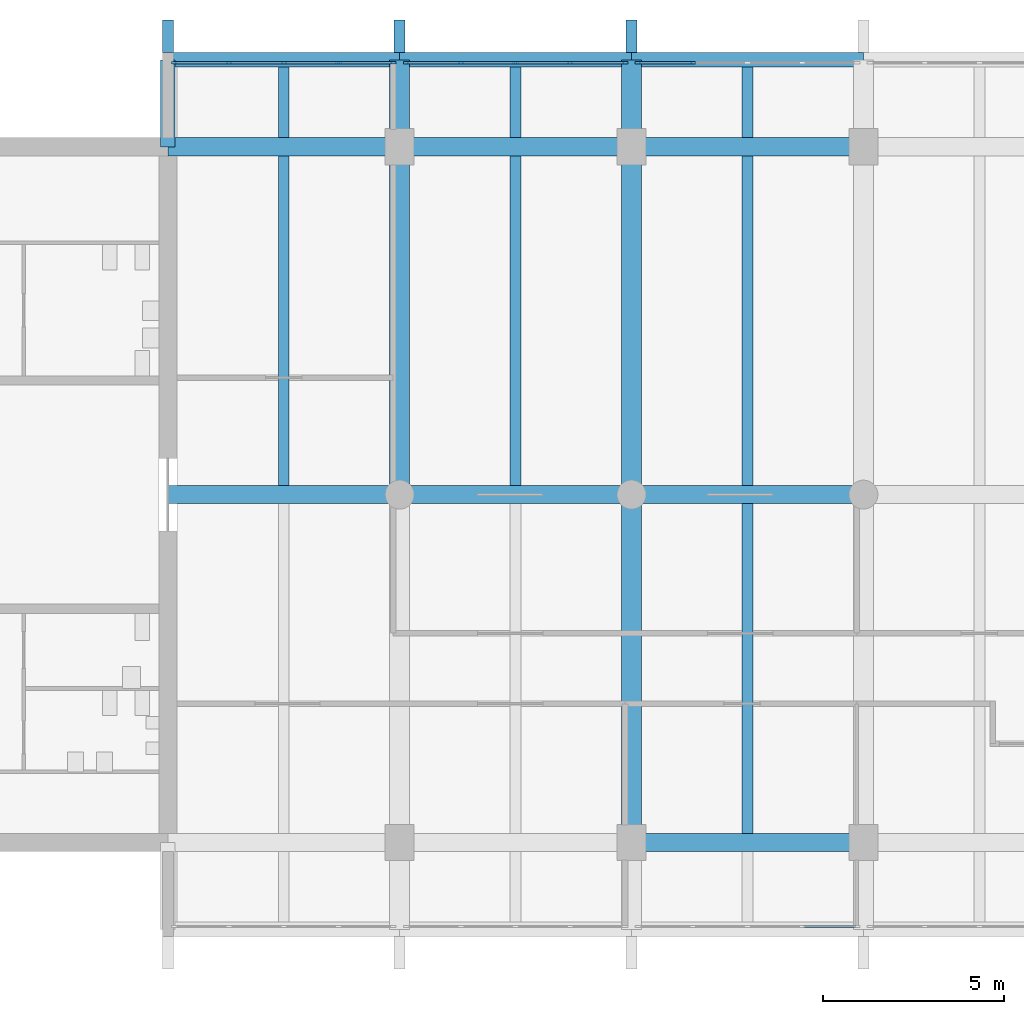
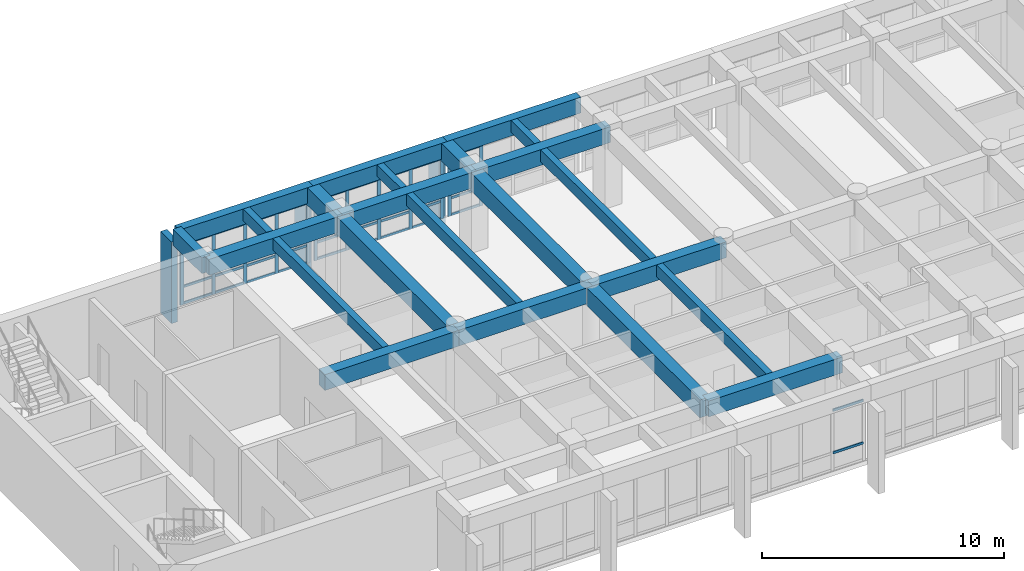
# One storey, part 3 of 15: 44 members, 23 beams, 4 elements without a shape of their own.
"""IFC4 building model written with IfcOpenShell, lengths in metres."""

import ifcopenshell
import ifcopenshell.guid

model = None  # the IFC model being written
_history = None  # IfcOwnerHistory: only IFC2X3 demands one
_inside = {}  # id of a spatial element -> (the spatial element, [elements in it])
_under = {}  # id of a project, library or spatial element -> (it, [spatial elements below it])
_declared = {}  # id of a project -> (the project, [libraries it declares])
_typed = {}  # id of a type object -> (the type object, [elements of that type])
_made_of = {}  # id of a material, layer set ... -> (it, [elements and type objects made of it])


def new_model(schema):
    """Start an empty IFC model of exactly this schema.

    Asked for "IFC4X3", IfcOpenShell would pick the latest addendum, in which some entities
    have other attributes; the version numbers below select the first issue.
    IFC2X3 requires an IfcOwnerHistory on every rooted entity: one is made here for all.
    """
    global model, _history
    if schema == "IFC4X3":
        model = ifcopenshell.file(schema_version=(4, 3, 0, 0))
    else:
        model = ifcopenshell.file(schema=schema)
    _inside.clear()
    _under.clear()
    _declared.clear()
    _typed.clear()
    _made_of.clear()
    _history = None
    if model.schema == "IFC2X3":
        org = make("IfcOrganization", Name="unknown")
        user = make(
            "IfcPersonAndOrganization",
            ThePerson=make("IfcPerson", FamilyName="unknown"),
            TheOrganization=org,
        )
        app = make(
            "IfcApplication",
            ApplicationDeveloper=org,
            Version="unknown",
            ApplicationFullName="unknown",
            ApplicationIdentifier="unknown",
        )
        _history = make(
            "IfcOwnerHistory",
            OwningUser=user,
            OwningApplication=app,
            ChangeAction="ADDED",
            CreationDate=0,
        )
    return model


def make(cls, **values):
    """One entity of the class cls with the attributes given. An attribute that is None is left unset."""
    return model.create_entity(
        cls, **{name: value for name, value in values.items() if value is not None}
    )


def rooted(cls, **values):
    """An entity with a GlobalId (a new one), such as an element, a storey or a relation."""
    return make(cls, GlobalId=ifcopenshell.guid.new(), OwnerHistory=_history, **values)


def si_unit(unit_type, name, prefix=None):
    """IfcSIUnit, for example si_unit("LENGTHUNIT", "METRE", prefix="MILLI")."""
    return make("IfcSIUnit", UnitType=unit_type, Prefix=prefix, Name=name)


def assignment(units):
    """IfcUnitAssignment: the units of a project."""
    return None if units is None else make("IfcUnitAssignment", Units=units)


def point(xyz):
    """IfcCartesianPoint."""
    return None if xyz is None else make("IfcCartesianPoint", Coordinates=xyz)


def direction(xyz):
    """IfcDirection."""
    return None if xyz is None else make("IfcDirection", DirectionRatios=xyz)


def frame(location, z_axis=None, x_axis=None):
    """IfcAxis2Placement3D, a coordinate frame: its origin and axes. An axis left out is left unset."""
    return make(
        "IfcAxis2Placement3D",
        Location=point(location),
        Axis=direction(z_axis),
        RefDirection=direction(x_axis),
    )


def frame_2d(location, x_axis=None):
    """IfcAxis2Placement2D, a coordinate frame in the plane: its origin and x axis."""
    return make(
        "IfcAxis2Placement2D", Location=point(location), RefDirection=direction(x_axis)
    )


def origin():
    """The frame at (0, 0, 0) with its axes left unset."""
    return frame((0.0, 0.0, 0.0))


def origin_2d():
    """The frame at (0, 0) in the plane with its x axis left unset."""
    return frame_2d((0.0, 0.0))


def place(relative_to, where):
    """IfcLocalPlacement: puts the frame where relative to a parent placement (None: the world)."""
    return make(
        "IfcLocalPlacement", PlacementRelTo=relative_to, RelativePlacement=where
    )


def context(
    kind, dimensions, precision=None, world=None, true_north=None, identifier=None
):
    """IfcGeometricRepresentationContext, for example the 3D "Model" context."""
    return make(
        "IfcGeometricRepresentationContext",
        ContextIdentifier=identifier,
        ContextType=kind,
        CoordinateSpaceDimension=dimensions,
        Precision=precision,
        WorldCoordinateSystem=world,
        TrueNorth=true_north,
    )


def subcontext(parent, identifier, kind, view, scale=None):
    """IfcGeometricRepresentationSubContext, for example "Body" below "Model"."""
    return make(
        "IfcGeometricRepresentationSubContext",
        ContextIdentifier=identifier,
        ContextType=kind,
        ParentContext=parent,
        TargetScale=scale,
        TargetView=view,
    )


def project(units=None, contexts=None):
    """IfcProject with its units and contexts."""
    return rooted(
        "IfcProject",
        Name="project",
        RepresentationContexts=contexts,
        UnitsInContext=assignment(units),
    )


def spatial(cls, under=None, at=None, **own):
    """A site, building, storey or space (cls), placed at a placement, below another one or the project."""
    s = rooted(cls, ObjectPlacement=at, **own)
    if under is not None:
        _under.setdefault(under.id(), (under, []))[1].append(s)
    return s


def profile(cls, at=None, kind="AREA", **sizes):
    """A parametric profile (cls). Its sizes go by their IFC names, for example OverallWidth=200.0."""
    return make(cls, ProfileType=kind, Position=at, **sizes)


def rectangle(**sizes):
    """IfcRectangleProfileDef."""
    return profile("IfcRectangleProfileDef", **sizes)


def extrude(swept, where, along, depth):
    """IfcExtrudedAreaSolid: the profile swept, set in the frame where, extruded along a direction by depth."""
    return make(
        "IfcExtrudedAreaSolid",
        SweptArea=swept,
        Position=where,
        ExtrudedDirection=direction(along),
        Depth=depth,
    )


def shape(context_of_items, identifier, shape_type, items):
    """IfcShapeRepresentation: the items that make up one representation, for example the "Body"."""
    return make(
        "IfcShapeRepresentation",
        ContextOfItems=context_of_items,
        RepresentationIdentifier=identifier,
        RepresentationType=shape_type,
        Items=items,
    )


def material(Name=None, Category=None):
    """IfcMaterial."""
    return make("IfcMaterial", Name=Name, Category=Category)


def layer(
    of_material, thickness, ventilated=None, Name=None, Category=None, Priority=None
):
    """IfcMaterialLayer: one layer of a wall or slab, of a material (None: an air gap)."""
    return make(
        "IfcMaterialLayer",
        Material=of_material,
        LayerThickness=thickness,
        IsVentilated=ventilated,
        Name=Name,
        Category=Category,
        Priority=Priority,
    )


def layer_set(layers, Name=None):
    """IfcMaterialLayerSet."""
    return make("IfcMaterialLayerSet", MaterialLayers=layers, LayerSetName=Name)


def material_profile(
    of_material, cross_section, Name=None, Category=None, Priority=None
):
    """IfcMaterialProfile: a cross section and its material."""
    return make(
        "IfcMaterialProfile",
        Name=Name,
        Material=of_material,
        Profile=cross_section,
        Priority=Priority,
        Category=Category,
    )


def profile_set(profiles, Name=None, composite=None):
    """IfcMaterialProfileSet."""
    return make(
        "IfcMaterialProfileSet",
        Name=Name,
        MaterialProfiles=profiles,
        CompositeProfile=composite,
    )


def made_of(thing, what):
    """Note that an element or type object is made of a material, layer set ...; save() writes the relation."""
    if what is not None:
        _made_of.setdefault(what.id(), (what, []))[1].append(thing)
    return thing


def type_object(cls, material=None, **own):
    """A type object (cls), such as IfcWallType, which elements share."""
    return made_of(rooted(cls, **own), material)


def element(
    cls,
    number,
    at=None,
    inside=None,
    cuts=None,
    type_object=None,
    material=None,
    context=None,
    identifier="Body",
    shape_type=None,
    held_by="IfcProductDefinitionShape",
    body=None,
    shapes=None,
    **own,
):
    """One element of the class cls, such as IfcWall. Its Tag is "e" and its number.

    at: its placement. inside: the storey or other place that contains it. cuts: it is an
    opening in that element (IfcRelVoidsElement). A single representation is given by context,
    identifier, shape_type and body (its items); several are given by shapes. held_by: the class
    of the entity that holds the representations. save() writes the other relations.
    """
    e = rooted(cls, Tag="e%d" % number, ObjectPlacement=at, **own)
    if body is not None:
        shapes = [shape(context, identifier, shape_type, body)]
    if shapes is not None:
        e.Representation = make(held_by, Representations=shapes)
    if inside is not None:
        _inside.setdefault(inside.id(), (inside, []))[1].append(e)
    if cuts is not None:
        rooted(
            "IfcRelVoidsElement", RelatingBuildingElement=cuts, RelatedOpeningElement=e
        )
    if type_object is not None:
        _typed.setdefault(type_object.id(), (type_object, []))[1].append(e)
    return made_of(e, material)


def aggregate(whole, parts):
    """IfcRelAggregates: a whole, such as a stair, and the parts it consists of."""
    return rooted("IfcRelAggregates", RelatingObject=whole, RelatedObjects=parts)


def save(model, path):
    """Write the relations noted so far, then the file.

    IfcRelAggregates (storeys below a building ...), IfcRelContainedInSpatialStructure (elements
    in a storey), IfcRelDefinesByType, IfcRelAssociatesMaterial and IfcRelDeclares: one each for
    every whole, place, type object, material and project.
    """
    for whole, parts in _under.values():
        aggregate(whole, parts)
    for where, things in _inside.values():
        rooted(
            "IfcRelContainedInSpatialStructure",
            RelatedElements=things,
            RelatingStructure=where,
        )
    for kind, things in _typed.values():
        rooted("IfcRelDefinesByType", RelatedObjects=things, RelatingType=kind)
    for what, things in _made_of.values():
        rooted("IfcRelAssociatesMaterial", RelatedObjects=things, RelatingMaterial=what)
    for by, libraries in _declared.values():
        rooted("IfcRelDeclares", RelatingContext=by, RelatedDefinitions=libraries)
    model.write(path)


model = new_model("IFC4")

# Units and contexts
model_context = context("Model", 3, precision=1e-05, world=origin(), true_north=direction((0.0, 1.0)))
body_context = subcontext(model_context, "Body", "Model", "MODEL_VIEW")
ifc_project = project(units=[si_unit("LENGTHUNIT", "METRE"), si_unit("AREAUNIT", "SQUARE_METRE"), si_unit("VOLUMEUNIT", "CUBIC_METRE"), si_unit("PLANEANGLEUNIT", "RADIAN"), si_unit("MASSUNIT", "GRAM", prefix="KILO")], contexts=[model_context])

# Site, building, storey
site_placement = place(None, origin())
site = spatial("IfcSite", under=ifc_project, at=site_placement, CompositionType="ELEMENT")
building_placement = place(site_placement, origin())
building = spatial("IfcBuilding", under=site, at=building_placement, Name="Fogon Plaza Fire Station and Headquarters Tower", CompositionType="ELEMENT")
storey_placement = place(building_placement, frame((0.0, 0.0, 60.0)))
storey = spatial("IfcBuildingStorey", under=building, at=storey_placement, Name="L15", CompositionType="ELEMENT", Elevation=60.0)

# Beams
ifc_material_1 = material(Name="Concrete C40", Category="concrete")
ifc_material_profile_1 = material_profile(ifc_material_1, rectangle(XDim=0.39990234375, YDim=0.800048828125, at=origin_2d()), Name="RC 400x800")
ifc_profile_set_1 = profile_set([ifc_material_profile_1], Name="Concrete C40")
beam_type_1 = type_object("IfcBeamType", Name="BEAM RC 400x800", PredefinedType="BEAM", material=ifc_profile_set_1)
for number, where, z_axis, x_axis, name in (
    (1, (25.60009765625, 55.199951171875, 3.5), (1.0, 0.0, 0.0), (0.0, 1.0, 0.0), "beam-L15-045"),
    (2, (32.0, 55.199951171875, 3.5), (1.0, 0.0, 0.0), (0.0, 1.0, 0.0), "beam-L15-046"),
):
    element("IfcBeam", number, at=place(storey_placement, frame(where, z_axis=z_axis, x_axis=x_axis)), inside=storey, type_object=beam_type_1, Name=name, PredefinedType="BEAM", context=body_context, shape_type="SweptSolid", body=[
        extrude(rectangle(XDim=0.39990234375, YDim=0.800048828125, at=origin_2d()), origin(), (0.0, 0.0, 1.0), 6.39990234375),
    ])
beam_1_placement = place(storey_placement, frame((38.39990234375, 55.199951171875, 3.5), z_axis=(1.0, 0.0, 0.0), x_axis=(0.0, 1.0, 0.0)))
element("IfcBeam", 3, at=beam_1_placement, inside=storey, type_object=beam_type_1, Name="beam-L15-047", PredefinedType="BEAM", context=body_context, shape_type="SweptSolid", body=[
    extrude(rectangle(XDim=0.39990234375, YDim=0.800048828125, at=origin_2d()), origin(), (0.0, 0.0, 1.0), 6.400146484375),
])
ifc_material_2 = material(Name="Concrete C40", Category="concrete")
ifc_material_profile_2 = material_profile(ifc_material_2, rectangle(XDim=0.39990234375, YDim=0.800048828125, at=origin_2d()), Name="RC 400x800")
ifc_profile_set_2 = profile_set([ifc_material_profile_2], Name="Concrete C40")
beam_type_2 = type_object("IfcBeamType", Name="BEAM RC 400x800 SPAN 0.0 TO 3.0 M", PredefinedType="BEAM", material=ifc_profile_set_2)
beam_2_placement = place(storey_placement, frame((25.60009765625, 52.800048828125, 3.5), z_axis=(0.0, 1.0, 0.0), x_axis=(-1.0, 0.0, 0.0)))
element("IfcBeam", 4, at=beam_2_placement, inside=storey, type_object=beam_type_2, Name="beam-L15-052", PredefinedType="BEAM", context=body_context, shape_type="SweptSolid", body=[
    extrude(rectangle(XDim=0.39990234375, YDim=0.800048828125, at=origin_2d()), origin(), (0.0, 0.0, 1.0), 2.39990234375),
])
ifc_material_3 = material(Name="Concrete C40", Category="concrete")
ifc_material_profile_3 = material_profile(ifc_material_3, rectangle(XDim=0.5, YDim=0.800048828125, at=origin_2d()), Name="RC 500x800")
ifc_profile_set_3 = profile_set([ifc_material_profile_3], Name="Concrete C40")
beam_type_3 = type_object("IfcBeamType", Name="BEAM RC 500x800 SPAN 4.8 TO 7.7 M", PredefinedType="BEAM", material=ifc_profile_set_3)
beam_3_placement = place(storey_placement, frame((38.39990234375, 33.60009765625, 3.5), z_axis=(1.0, 0.0, 0.0), x_axis=(0.0, 1.0, 0.0)))
element("IfcBeam", 5, at=beam_3_placement, inside=storey, type_object=beam_type_3, Name="beam-L15-023", PredefinedType="BEAM", context=body_context, shape_type="SweptSolid", body=[
    extrude(rectangle(XDim=0.5, YDim=0.800048828125, at=origin_2d()), origin(), (0.0, 0.0, 1.0), 6.400146484375),
])
for number, where, z_axis, x_axis, name in (
    (6, (25.60009765625, 43.199951171875, 3.5), (1.0, 0.0, 0.0), (0.0, 1.0, 0.0), "beam-L15-027"),
    (7, (32.0, 43.199951171875, 3.5), (1.0, 0.0, 0.0), (0.0, 1.0, 0.0), "beam-L15-028"),
):
    element("IfcBeam", number, at=place(storey_placement, frame(where, z_axis=z_axis, x_axis=x_axis)), inside=storey, type_object=beam_type_3, Name=name, PredefinedType="BEAM", context=body_context, shape_type="SweptSolid", body=[
        extrude(rectangle(XDim=0.5, YDim=0.800048828125, at=origin_2d()), origin(), (0.0, 0.0, 1.0), 6.39990234375),
    ])
beam_4_placement = place(storey_placement, frame((38.39990234375, 43.199951171875, 3.5), z_axis=(1.0, 0.0, 0.0), x_axis=(0.0, 1.0, 0.0)))
element("IfcBeam", 8, at=beam_4_placement, inside=storey, type_object=beam_type_3, Name="beam-L15-029", PredefinedType="BEAM", context=body_context, shape_type="SweptSolid", body=[
    extrude(rectangle(XDim=0.5, YDim=0.800048828125, at=origin_2d()), origin(), (0.0, 0.0, 1.0), 6.400146484375),
])
for number, where, z_axis, x_axis, name in (
    (9, (25.60009765625, 52.800048828125, 3.5), (1.0, 0.0, 0.0), (0.0, 1.0, 0.0), "beam-L15-033"),
    (10, (32.0, 52.800048828125, 3.5), (1.0, 0.0, 0.0), (0.0, 1.0, 0.0), "beam-L15-034"),
):
    element("IfcBeam", number, at=place(storey_placement, frame(where, z_axis=z_axis, x_axis=x_axis)), inside=storey, type_object=beam_type_3, Name=name, PredefinedType="BEAM", context=body_context, shape_type="SweptSolid", body=[
        extrude(rectangle(XDim=0.5, YDim=0.800048828125, at=origin_2d()), origin(), (0.0, 0.0, 1.0), 6.39990234375),
    ])
beam_5_placement = place(storey_placement, frame((38.39990234375, 52.800048828125, 3.5), z_axis=(1.0, 0.0, 0.0), x_axis=(0.0, 1.0, 0.0)))
element("IfcBeam", 11, at=beam_5_placement, inside=storey, type_object=beam_type_3, Name="beam-L15-035", PredefinedType="BEAM", context=body_context, shape_type="SweptSolid", body=[
    extrude(rectangle(XDim=0.5, YDim=0.800048828125, at=origin_2d()), origin(), (0.0, 0.0, 1.0), 6.400146484375),
])
ifc_material_4 = material(Name="Concrete C40", Category="concrete")
ifc_material_profile_4 = material_profile(ifc_material_4, rectangle(XDim=0.550048828125, YDim=0.89990234375, at=origin_2d()), Name="RC 550x900")
ifc_profile_set_4 = profile_set([ifc_material_profile_4], Name="Concrete C40")
beam_type_4 = type_object("IfcBeamType", Name="BEAM RC 550x900", PredefinedType="BEAM", material=ifc_profile_set_4)
beam_6_placement = place(storey_placement, frame((32.0, 43.199951171875, 3.449951171875), z_axis=(0.0, 1.0, 0.0), x_axis=(-1.0, 0.0, 0.0)))
element("IfcBeam", 12, at=beam_6_placement, inside=storey, type_object=beam_type_4, Name="beam-L15-003", PredefinedType="BEAM", context=body_context, shape_type="SweptSolid", body=[
    extrude(rectangle(XDim=0.550048828125, YDim=0.89990234375, at=origin_2d()), origin(), (0.0, 0.0, 1.0), 9.60009765625),
])
beam_7_placement = place(storey_placement, frame((38.39990234375, 33.60009765625, 3.449951171875), z_axis=(0.0, 1.0, 0.0), x_axis=(-1.0, 0.0, 0.0)))
element("IfcBeam", 13, at=beam_7_placement, inside=storey, type_object=beam_type_4, Name="beam-L15-006", PredefinedType="BEAM", context=body_context, shape_type="SweptSolid", body=[
    extrude(rectangle(XDim=0.550048828125, YDim=0.89990234375, at=origin_2d()), origin(), (0.0, 0.0, 1.0), 9.599853515625),
])
beam_8_placement = place(storey_placement, frame((38.39990234375, 43.199951171875, 3.449951171875), z_axis=(0.0, 1.0, 0.0), x_axis=(-1.0, 0.0, 0.0)))
element("IfcBeam", 14, at=beam_8_placement, inside=storey, type_object=beam_type_4, Name="beam-L15-007", PredefinedType="BEAM", context=body_context, shape_type="SweptSolid", body=[
    extrude(rectangle(XDim=0.550048828125, YDim=0.89990234375, at=origin_2d()), origin(), (0.0, 0.0, 1.0), 9.60009765625),
])
ifc_material_5 = material(Name="Concrete C40", Category="concrete")
ifc_material_profile_5 = material_profile(ifc_material_5, rectangle(XDim=0.550048828125, YDim=0.89990234375, at=origin_2d()), Name="RC 550x900")
ifc_profile_set_5 = profile_set([ifc_material_profile_5], Name="Concrete C40")
beam_type_5 = type_object("IfcBeamType", Name="BEAM RC 550x900 SPAN 0.0 TO 3.0 M", PredefinedType="BEAM", material=ifc_profile_set_5)
for number, where, z_axis, x_axis, name in (
    (15, (32.0, 52.800048828125, 3.449951171875), (0.0, 1.0, 0.0), (-1.0, 0.0, 0.0), "beam-L15-004"),
    (16, (38.39990234375, 52.800048828125, 3.449951171875), (0.0, 1.0, 0.0), (-1.0, 0.0, 0.0), "beam-L15-008"),
):
    element("IfcBeam", number, at=place(storey_placement, frame(where, z_axis=z_axis, x_axis=x_axis)), inside=storey, type_object=beam_type_5, Name=name, PredefinedType="BEAM", context=body_context, shape_type="SweptSolid", body=[
        extrude(rectangle(XDim=0.550048828125, YDim=0.89990234375, at=origin_2d()), origin(), (0.0, 0.0, 1.0), 2.39990234375),
    ])

# Curtain wall, members
ifc_material_6 = material(Name="Aluminium and glass", Category="aluminium")
ifc_layer = layer(ifc_material_6, 0.14990234375)
ifc_layer_set = layer_set([ifc_layer], Name="Aluminium and glass")
curtain_wall_type = type_object("IfcCurtainWallType", Name="Unitised Curtain Wall Run 6100x3100", PredefinedType="NOTDEFINED", material=ifc_layer_set)
curtain_wall_1_placement = place(storey_placement, origin())
curtain_wall_1 = element("IfcCurtainWall", 17, at=curtain_wall_1_placement, inside=storey, type_object=curtain_wall_type, Name="CW-6100x3100 N1 L15", PredefinedType="NOTDEFINED")
ifc_material_7 = material(Name="Aluminium", Category="aluminium")
ifc_material_profile_6 = material_profile(ifc_material_7, rectangle(XDim=0.06005859375, YDim=0.159912109375, at=origin_2d()), Name="Curtain Wall Mullion 60x160")
ifc_profile_set_6 = profile_set([ifc_material_profile_6], Name="Aluminium")
member_type_1 = type_object("IfcMemberType", Name="Curtain Wall Mullion 60x160", PredefinedType="MULLION", material=ifc_profile_set_6)
member_1_placement = place(storey_placement, frame((25.780029296875, 55.1201171875, 0.0), z_axis=(0.0, 0.0, 1.0), x_axis=(0.0, 1.0, 0.0)))
member_1 = element("IfcMember", 18, at=member_1_placement, type_object=member_type_1, Name="CW-6100x3100 mullion 1", PredefinedType="MULLION", context=body_context, shape_type="SweptSolid", body=[
    extrude(rectangle(XDim=0.06005859375, YDim=0.159912109375, at=origin_2d()), origin(), (0.0, 0.0, 1.0), 3.10009765625),
])
member_2_placement = place(storey_placement, frame((27.2900390625, 55.1201171875, 0.0), z_axis=(0.0, 0.0, 1.0), x_axis=(0.0, 1.0, 0.0)))
member_2 = element("IfcMember", 19, at=member_2_placement, type_object=member_type_1, Name="CW-6100x3100 mullion 2", PredefinedType="MULLION", context=body_context, shape_type="SweptSolid", body=[
    extrude(rectangle(XDim=0.06005859375, YDim=0.159912109375, at=origin_2d()), origin(), (0.0, 0.0, 1.0), 3.10009765625),
])
member_3_placement = place(storey_placement, frame((28.800048828125, 55.1201171875, 0.0), z_axis=(0.0, 0.0, 1.0), x_axis=(0.0, 1.0, 0.0)))
member_3 = element("IfcMember", 20, at=member_3_placement, type_object=member_type_1, Name="CW-6100x3100 mullion 3", PredefinedType="MULLION", context=body_context, shape_type="SweptSolid", body=[
    extrude(rectangle(XDim=0.06005859375, YDim=0.159912109375, at=origin_2d()), origin(), (0.0, 0.0, 1.0), 3.10009765625),
])
member_4_placement = place(storey_placement, frame((30.31005859375, 55.1201171875, 0.0), z_axis=(0.0, 0.0, 1.0), x_axis=(0.0, 1.0, 0.0)))
member_4 = element("IfcMember", 21, at=member_4_placement, type_object=member_type_1, Name="CW-6100x3100 mullion 4", PredefinedType="MULLION", context=body_context, shape_type="SweptSolid", body=[
    extrude(rectangle(XDim=0.06005859375, YDim=0.159912109375, at=origin_2d()), origin(), (0.0, 0.0, 1.0), 3.10009765625),
])
member_5_placement = place(storey_placement, frame((31.820068359375, 55.1201171875, 0.0), z_axis=(0.0, 0.0, 1.0), x_axis=(0.0, 1.0, 0.0)))
member_5 = element("IfcMember", 22, at=member_5_placement, type_object=member_type_1, Name="CW-6100x3100 mullion 5", PredefinedType="MULLION", context=body_context, shape_type="SweptSolid", body=[
    extrude(rectangle(XDim=0.06005859375, YDim=0.159912109375, at=origin_2d()), origin(), (0.0, 0.0, 1.0), 3.10009765625),
])

curtain_wall_2_placement = place(storey_placement, origin())
curtain_wall_2 = element("IfcCurtainWall", 23, at=curtain_wall_2_placement, inside=storey, type_object=curtain_wall_type, Name="CW-6100x3100 N2 L15", PredefinedType="NOTDEFINED")
member_6_placement = place(storey_placement, frame((32.179931640625, 55.1201171875, 0.0), z_axis=(0.0, 0.0, 1.0), x_axis=(0.0, 1.0, 0.0)))
member_6 = element("IfcMember", 24, at=member_6_placement, type_object=member_type_1, Name="CW-6100x3100 mullion 1", PredefinedType="MULLION", context=body_context, shape_type="SweptSolid", body=[
    extrude(rectangle(XDim=0.06005859375, YDim=0.159912109375, at=origin_2d()), origin(), (0.0, 0.0, 1.0), 3.10009765625),
])
member_7_placement = place(storey_placement, frame((33.68994140625, 55.1201171875, 0.0), z_axis=(0.0, 0.0, 1.0), x_axis=(0.0, 1.0, 0.0)))
member_7 = element("IfcMember", 25, at=member_7_placement, type_object=member_type_1, Name="CW-6100x3100 mullion 2", PredefinedType="MULLION", context=body_context, shape_type="SweptSolid", body=[
    extrude(rectangle(XDim=0.06005859375, YDim=0.159912109375, at=origin_2d()), origin(), (0.0, 0.0, 1.0), 3.10009765625),
])
member_8_placement = place(storey_placement, frame((35.199951171875, 55.1201171875, 0.0), z_axis=(0.0, 0.0, 1.0), x_axis=(0.0, 1.0, 0.0)))
member_8 = element("IfcMember", 26, at=member_8_placement, type_object=member_type_1, Name="CW-6100x3100 mullion 3", PredefinedType="MULLION", context=body_context, shape_type="SweptSolid", body=[
    extrude(rectangle(XDim=0.06005859375, YDim=0.159912109375, at=origin_2d()), origin(), (0.0, 0.0, 1.0), 3.10009765625),
])
member_9_placement = place(storey_placement, frame((36.7099609375, 55.1201171875, 0.0), z_axis=(0.0, 0.0, 1.0), x_axis=(0.0, 1.0, 0.0)))
member_9 = element("IfcMember", 27, at=member_9_placement, type_object=member_type_1, Name="CW-6100x3100 mullion 4", PredefinedType="MULLION", context=body_context, shape_type="SweptSolid", body=[
    extrude(rectangle(XDim=0.06005859375, YDim=0.159912109375, at=origin_2d()), origin(), (0.0, 0.0, 1.0), 3.10009765625),
])
member_10_placement = place(storey_placement, frame((38.219970703125, 55.1201171875, 0.0), z_axis=(0.0, 0.0, 1.0), x_axis=(0.0, 1.0, 0.0)))
member_10 = element("IfcMember", 28, at=member_10_placement, type_object=member_type_1, Name="CW-6100x3100 mullion 5", PredefinedType="MULLION", context=body_context, shape_type="SweptSolid", body=[
    extrude(rectangle(XDim=0.06005859375, YDim=0.159912109375, at=origin_2d()), origin(), (0.0, 0.0, 1.0), 3.10009765625),
])

curtain_wall_3_placement = place(storey_placement, origin())
curtain_wall_3 = element("IfcCurtainWall", 29, at=curtain_wall_3_placement, inside=storey, type_object=curtain_wall_type, Name="CW-6100x3100 N3 L15", PredefinedType="NOTDEFINED")
member_11_placement = place(storey_placement, frame((38.580078125, 55.1201171875, 0.0), z_axis=(0.0, 0.0, 1.0), x_axis=(0.0, 1.0, 0.0)))
member_11 = element("IfcMember", 30, at=member_11_placement, type_object=member_type_1, Name="CW-6100x3100 mullion 1", PredefinedType="MULLION", context=body_context, shape_type="SweptSolid", body=[
    extrude(rectangle(XDim=0.06005859375, YDim=0.159912109375, at=origin_2d()), origin(), (0.0, 0.0, 1.0), 3.10009765625),
])
member_12_placement = place(storey_placement, frame((40.090087890625, 55.1201171875, 0.0), z_axis=(0.0, 0.0, 1.0), x_axis=(0.0, 1.0, 0.0)))
member_12 = element("IfcMember", 31, at=member_12_placement, type_object=member_type_1, Name="CW-6100x3100 mullion 2", PredefinedType="MULLION", context=body_context, shape_type="SweptSolid", body=[
    extrude(rectangle(XDim=0.06005859375, YDim=0.159912109375, at=origin_2d()), origin(), (0.0, 0.0, 1.0), 3.10009765625),
])

curtain_wall_4_placement = place(storey_placement, origin())
curtain_wall_4 = element("IfcCurtainWall", 32, at=curtain_wall_4_placement, inside=storey, type_object=curtain_wall_type, Name="CW-6100x3100 S3 L15", PredefinedType="NOTDEFINED")
ifc_material_8 = material(Name="Aluminium", Category="aluminium")
ifc_material_profile_7 = material_profile(ifc_material_8, rectangle(XDim=0.06005859375, YDim=0.1201171875, at=origin_2d()), Name="Curtain Wall Transom 60x120")
ifc_profile_set_7 = profile_set([ifc_material_profile_7], Name="Aluminium")
member_type_2 = type_object("IfcMemberType", Name="Curtain Wall Transom 60x120", PredefinedType="USERDEFINED", material=ifc_profile_set_7)
member_13_placement = place(storey_placement, frame((43.139892578125, 31.280029296875, 0.89990234375), z_axis=(1.0, 0.0, 0.0), x_axis=(0.0, 1.0, 0.0)))
member_13 = element("IfcMember", 33, at=member_13_placement, type_object=member_type_2, Name="CW-6100x3100 transom 4.2", ObjectType="TRANSOM", PredefinedType="USERDEFINED", context=body_context, shape_type="SweptSolid", body=[
    extrude(rectangle(XDim=0.06005859375, YDim=0.1201171875, at=origin_2d()), origin(), (0.0, 0.0, 1.0), 1.4501953125),
])
member_14_placement = place(storey_placement, frame((43.139892578125, 31.280029296875, 3.0400390625), z_axis=(1.0, 0.0, 0.0), x_axis=(0.0, 1.0, 0.0)))
member_14 = element("IfcMember", 34, at=member_14_placement, type_object=member_type_2, Name="CW-6100x3100 transom 4.3", ObjectType="TRANSOM", PredefinedType="USERDEFINED", context=body_context, shape_type="SweptSolid", body=[
    extrude(rectangle(XDim=0.06005859375, YDim=0.1201171875, at=origin_2d()), origin(), (0.0, 0.0, 1.0), 1.4501953125),
])
aggregate(curtain_wall_4, [member_13, member_14])

# Member
member_15_placement = place(storey_placement, frame((25.81005859375, 55.1201171875, 0.06005859375), z_axis=(1.0, 0.0, 0.0), x_axis=(0.0, 1.0, 0.0)))
member_15 = element("IfcMember", 35, at=member_15_placement, type_object=member_type_2, Name="CW-6100x3100 transom 1.1", ObjectType="TRANSOM", PredefinedType="USERDEFINED", context=body_context, shape_type="SweptSolid", body=[
    extrude(rectangle(XDim=0.06005859375, YDim=0.1201171875, at=origin_2d()), origin(), (0.0, 0.0, 1.0), 1.449951171875),
])

member_16_placement = place(storey_placement, frame((25.81005859375, 55.1201171875, 0.89990234375), z_axis=(1.0, 0.0, 0.0), x_axis=(0.0, 1.0, 0.0)))
member_16 = element("IfcMember", 36, at=member_16_placement, type_object=member_type_2, Name="CW-6100x3100 transom 1.2", ObjectType="TRANSOM", PredefinedType="USERDEFINED", context=body_context, shape_type="SweptSolid", body=[
    extrude(rectangle(XDim=0.06005859375, YDim=0.1201171875, at=origin_2d()), origin(), (0.0, 0.0, 1.0), 1.449951171875),
])

member_17_placement = place(storey_placement, frame((25.81005859375, 55.1201171875, 3.0400390625), z_axis=(1.0, 0.0, 0.0), x_axis=(0.0, 1.0, 0.0)))
member_17 = element("IfcMember", 37, at=member_17_placement, type_object=member_type_2, Name="CW-6100x3100 transom 1.3", ObjectType="TRANSOM", PredefinedType="USERDEFINED", context=body_context, shape_type="SweptSolid", body=[
    extrude(rectangle(XDim=0.06005859375, YDim=0.1201171875, at=origin_2d()), origin(), (0.0, 0.0, 1.0), 1.449951171875),
])

member_18_placement = place(storey_placement, frame((27.320068359375, 55.1201171875, 0.06005859375), z_axis=(1.0, 0.0, 0.0), x_axis=(0.0, 1.0, 0.0)))
member_18 = element("IfcMember", 38, at=member_18_placement, type_object=member_type_2, Name="CW-6100x3100 transom 2.1", ObjectType="TRANSOM", PredefinedType="USERDEFINED", context=body_context, shape_type="SweptSolid", body=[
    extrude(rectangle(XDim=0.06005859375, YDim=0.1201171875, at=origin_2d()), origin(), (0.0, 0.0, 1.0), 1.449951171875),
])

member_19_placement = place(storey_placement, frame((27.320068359375, 55.1201171875, 0.89990234375), z_axis=(1.0, 0.0, 0.0), x_axis=(0.0, 1.0, 0.0)))
member_19 = element("IfcMember", 39, at=member_19_placement, type_object=member_type_2, Name="CW-6100x3100 transom 2.2", ObjectType="TRANSOM", PredefinedType="USERDEFINED", context=body_context, shape_type="SweptSolid", body=[
    extrude(rectangle(XDim=0.06005859375, YDim=0.1201171875, at=origin_2d()), origin(), (0.0, 0.0, 1.0), 1.449951171875),
])

member_20_placement = place(storey_placement, frame((27.320068359375, 55.1201171875, 3.0400390625), z_axis=(1.0, 0.0, 0.0), x_axis=(0.0, 1.0, 0.0)))
member_20 = element("IfcMember", 40, at=member_20_placement, type_object=member_type_2, Name="CW-6100x3100 transom 2.3", ObjectType="TRANSOM", PredefinedType="USERDEFINED", context=body_context, shape_type="SweptSolid", body=[
    extrude(rectangle(XDim=0.06005859375, YDim=0.1201171875, at=origin_2d()), origin(), (0.0, 0.0, 1.0), 1.449951171875),
])

member_21_placement = place(storey_placement, frame((28.830078125, 55.1201171875, 0.06005859375), z_axis=(1.0, 0.0, 0.0), x_axis=(0.0, 1.0, 0.0)))
member_21 = element("IfcMember", 41, at=member_21_placement, type_object=member_type_2, Name="CW-6100x3100 transom 3.1", ObjectType="TRANSOM", PredefinedType="USERDEFINED", context=body_context, shape_type="SweptSolid", body=[
    extrude(rectangle(XDim=0.06005859375, YDim=0.1201171875, at=origin_2d()), origin(), (0.0, 0.0, 1.0), 1.449951171875),
])

member_22_placement = place(storey_placement, frame((28.830078125, 55.1201171875, 0.89990234375), z_axis=(1.0, 0.0, 0.0), x_axis=(0.0, 1.0, 0.0)))
member_22 = element("IfcMember", 42, at=member_22_placement, type_object=member_type_2, Name="CW-6100x3100 transom 3.2", ObjectType="TRANSOM", PredefinedType="USERDEFINED", context=body_context, shape_type="SweptSolid", body=[
    extrude(rectangle(XDim=0.06005859375, YDim=0.1201171875, at=origin_2d()), origin(), (0.0, 0.0, 1.0), 1.449951171875),
])

member_23_placement = place(storey_placement, frame((28.830078125, 55.1201171875, 3.0400390625), z_axis=(1.0, 0.0, 0.0), x_axis=(0.0, 1.0, 0.0)))
member_23 = element("IfcMember", 43, at=member_23_placement, type_object=member_type_2, Name="CW-6100x3100 transom 3.3", ObjectType="TRANSOM", PredefinedType="USERDEFINED", context=body_context, shape_type="SweptSolid", body=[
    extrude(rectangle(XDim=0.06005859375, YDim=0.1201171875, at=origin_2d()), origin(), (0.0, 0.0, 1.0), 1.449951171875),
])

member_24_placement = place(storey_placement, frame((30.340087890625, 55.1201171875, 0.06005859375), z_axis=(1.0, 0.0, 0.0), x_axis=(0.0, 1.0, 0.0)))
member_24 = element("IfcMember", 44, at=member_24_placement, type_object=member_type_2, Name="CW-6100x3100 transom 4.1", ObjectType="TRANSOM", PredefinedType="USERDEFINED", context=body_context, shape_type="SweptSolid", body=[
    extrude(rectangle(XDim=0.06005859375, YDim=0.1201171875, at=origin_2d()), origin(), (0.0, 0.0, 1.0), 1.449951171875),
])

member_25_placement = place(storey_placement, frame((30.340087890625, 55.1201171875, 0.89990234375), z_axis=(1.0, 0.0, 0.0), x_axis=(0.0, 1.0, 0.0)))
member_25 = element("IfcMember", 45, at=member_25_placement, type_object=member_type_2, Name="CW-6100x3100 transom 4.2", ObjectType="TRANSOM", PredefinedType="USERDEFINED", context=body_context, shape_type="SweptSolid", body=[
    extrude(rectangle(XDim=0.06005859375, YDim=0.1201171875, at=origin_2d()), origin(), (0.0, 0.0, 1.0), 1.449951171875),
])

member_26_placement = place(storey_placement, frame((30.340087890625, 55.1201171875, 3.0400390625), z_axis=(1.0, 0.0, 0.0), x_axis=(0.0, 1.0, 0.0)))
member_26 = element("IfcMember", 46, at=member_26_placement, type_object=member_type_2, Name="CW-6100x3100 transom 4.3", ObjectType="TRANSOM", PredefinedType="USERDEFINED", context=body_context, shape_type="SweptSolid", body=[
    extrude(rectangle(XDim=0.06005859375, YDim=0.1201171875, at=origin_2d()), origin(), (0.0, 0.0, 1.0), 1.449951171875),
])

aggregate(curtain_wall_1, [member_1, member_2, member_3, member_4, member_5, member_15, member_16, member_17, member_18, member_19, member_20, member_21, member_22, member_23, member_24, member_25, member_26])

member_27_placement = place(storey_placement, frame((32.2099609375, 55.1201171875, 0.06005859375), z_axis=(1.0, 0.0, 0.0), x_axis=(0.0, 1.0, 0.0)))
member_27 = element("IfcMember", 47, at=member_27_placement, type_object=member_type_2, Name="CW-6100x3100 transom 1.1", ObjectType="TRANSOM", PredefinedType="USERDEFINED", context=body_context, shape_type="SweptSolid", body=[
    extrude(rectangle(XDim=0.06005859375, YDim=0.1201171875, at=origin_2d()), origin(), (0.0, 0.0, 1.0), 1.449951171875),
])

member_28_placement = place(storey_placement, frame((32.2099609375, 55.1201171875, 0.89990234375), z_axis=(1.0, 0.0, 0.0), x_axis=(0.0, 1.0, 0.0)))
member_28 = element("IfcMember", 48, at=member_28_placement, type_object=member_type_2, Name="CW-6100x3100 transom 1.2", ObjectType="TRANSOM", PredefinedType="USERDEFINED", context=body_context, shape_type="SweptSolid", body=[
    extrude(rectangle(XDim=0.06005859375, YDim=0.1201171875, at=origin_2d()), origin(), (0.0, 0.0, 1.0), 1.449951171875),
])

member_29_placement = place(storey_placement, frame((32.2099609375, 55.1201171875, 3.0400390625), z_axis=(1.0, 0.0, 0.0), x_axis=(0.0, 1.0, 0.0)))
member_29 = element("IfcMember", 49, at=member_29_placement, type_object=member_type_2, Name="CW-6100x3100 transom 1.3", ObjectType="TRANSOM", PredefinedType="USERDEFINED", context=body_context, shape_type="SweptSolid", body=[
    extrude(rectangle(XDim=0.06005859375, YDim=0.1201171875, at=origin_2d()), origin(), (0.0, 0.0, 1.0), 1.449951171875),
])

member_30_placement = place(storey_placement, frame((33.719970703125, 55.1201171875, 0.06005859375), z_axis=(1.0, 0.0, 0.0), x_axis=(0.0, 1.0, 0.0)))
member_30 = element("IfcMember", 50, at=member_30_placement, type_object=member_type_2, Name="CW-6100x3100 transom 2.1", ObjectType="TRANSOM", PredefinedType="USERDEFINED", context=body_context, shape_type="SweptSolid", body=[
    extrude(rectangle(XDim=0.06005859375, YDim=0.1201171875, at=origin_2d()), origin(), (0.0, 0.0, 1.0), 1.449951171875),
])

member_31_placement = place(storey_placement, frame((33.719970703125, 55.1201171875, 0.89990234375), z_axis=(1.0, 0.0, 0.0), x_axis=(0.0, 1.0, 0.0)))
member_31 = element("IfcMember", 51, at=member_31_placement, type_object=member_type_2, Name="CW-6100x3100 transom 2.2", ObjectType="TRANSOM", PredefinedType="USERDEFINED", context=body_context, shape_type="SweptSolid", body=[
    extrude(rectangle(XDim=0.06005859375, YDim=0.1201171875, at=origin_2d()), origin(), (0.0, 0.0, 1.0), 1.449951171875),
])

member_32_placement = place(storey_placement, frame((33.719970703125, 55.1201171875, 3.0400390625), z_axis=(1.0, 0.0, 0.0), x_axis=(0.0, 1.0, 0.0)))
member_32 = element("IfcMember", 52, at=member_32_placement, type_object=member_type_2, Name="CW-6100x3100 transom 2.3", ObjectType="TRANSOM", PredefinedType="USERDEFINED", context=body_context, shape_type="SweptSolid", body=[
    extrude(rectangle(XDim=0.06005859375, YDim=0.1201171875, at=origin_2d()), origin(), (0.0, 0.0, 1.0), 1.449951171875),
])

member_33_placement = place(storey_placement, frame((35.22998046875, 55.1201171875, 0.06005859375), z_axis=(1.0, 0.0, 0.0), x_axis=(0.0, 1.0, 0.0)))
member_33 = element("IfcMember", 53, at=member_33_placement, type_object=member_type_2, Name="CW-6100x3100 transom 3.1", ObjectType="TRANSOM", PredefinedType="USERDEFINED", context=body_context, shape_type="SweptSolid", body=[
    extrude(rectangle(XDim=0.06005859375, YDim=0.1201171875, at=origin_2d()), origin(), (0.0, 0.0, 1.0), 1.449951171875),
])

member_34_placement = place(storey_placement, frame((35.22998046875, 55.1201171875, 0.89990234375), z_axis=(1.0, 0.0, 0.0), x_axis=(0.0, 1.0, 0.0)))
member_34 = element("IfcMember", 54, at=member_34_placement, type_object=member_type_2, Name="CW-6100x3100 transom 3.2", ObjectType="TRANSOM", PredefinedType="USERDEFINED", context=body_context, shape_type="SweptSolid", body=[
    extrude(rectangle(XDim=0.06005859375, YDim=0.1201171875, at=origin_2d()), origin(), (0.0, 0.0, 1.0), 1.449951171875),
])

member_35_placement = place(storey_placement, frame((35.22998046875, 55.1201171875, 3.0400390625), z_axis=(1.0, 0.0, 0.0), x_axis=(0.0, 1.0, 0.0)))
member_35 = element("IfcMember", 55, at=member_35_placement, type_object=member_type_2, Name="CW-6100x3100 transom 3.3", ObjectType="TRANSOM", PredefinedType="USERDEFINED", context=body_context, shape_type="SweptSolid", body=[
    extrude(rectangle(XDim=0.06005859375, YDim=0.1201171875, at=origin_2d()), origin(), (0.0, 0.0, 1.0), 1.449951171875),
])

member_36_placement = place(storey_placement, frame((36.739990234375, 55.1201171875, 0.06005859375), z_axis=(1.0, 0.0, 0.0), x_axis=(0.0, 1.0, 0.0)))
member_36 = element("IfcMember", 56, at=member_36_placement, type_object=member_type_2, Name="CW-6100x3100 transom 4.1", ObjectType="TRANSOM", PredefinedType="USERDEFINED", context=body_context, shape_type="SweptSolid", body=[
    extrude(rectangle(XDim=0.06005859375, YDim=0.1201171875, at=origin_2d()), origin(), (0.0, 0.0, 1.0), 1.449951171875),
])

member_37_placement = place(storey_placement, frame((36.739990234375, 55.1201171875, 0.89990234375), z_axis=(1.0, 0.0, 0.0), x_axis=(0.0, 1.0, 0.0)))
member_37 = element("IfcMember", 57, at=member_37_placement, type_object=member_type_2, Name="CW-6100x3100 transom 4.2", ObjectType="TRANSOM", PredefinedType="USERDEFINED", context=body_context, shape_type="SweptSolid", body=[
    extrude(rectangle(XDim=0.06005859375, YDim=0.1201171875, at=origin_2d()), origin(), (0.0, 0.0, 1.0), 1.449951171875),
])

member_38_placement = place(storey_placement, frame((36.739990234375, 55.1201171875, 3.0400390625), z_axis=(1.0, 0.0, 0.0), x_axis=(0.0, 1.0, 0.0)))
member_38 = element("IfcMember", 58, at=member_38_placement, type_object=member_type_2, Name="CW-6100x3100 transom 4.3", ObjectType="TRANSOM", PredefinedType="USERDEFINED", context=body_context, shape_type="SweptSolid", body=[
    extrude(rectangle(XDim=0.06005859375, YDim=0.1201171875, at=origin_2d()), origin(), (0.0, 0.0, 1.0), 1.449951171875),
])

aggregate(curtain_wall_2, [member_6, member_7, member_8, member_9, member_10, member_27, member_28, member_29, member_30, member_31, member_32, member_33, member_34, member_35, member_36, member_37, member_38])

member_39_placement = place(storey_placement, frame((38.610107421875, 55.1201171875, 0.06005859375), z_axis=(1.0, 0.0, 0.0), x_axis=(0.0, 1.0, 0.0)))
member_39 = element("IfcMember", 59, at=member_39_placement, type_object=member_type_2, Name="CW-6100x3100 transom 1.1", ObjectType="TRANSOM", PredefinedType="USERDEFINED", context=body_context, shape_type="SweptSolid", body=[
    extrude(rectangle(XDim=0.06005859375, YDim=0.1201171875, at=origin_2d()), origin(), (0.0, 0.0, 1.0), 1.449951171875),
])

member_40_placement = place(storey_placement, frame((38.610107421875, 55.1201171875, 0.89990234375), z_axis=(1.0, 0.0, 0.0), x_axis=(0.0, 1.0, 0.0)))
member_40 = element("IfcMember", 60, at=member_40_placement, type_object=member_type_2, Name="CW-6100x3100 transom 1.2", ObjectType="TRANSOM", PredefinedType="USERDEFINED", context=body_context, shape_type="SweptSolid", body=[
    extrude(rectangle(XDim=0.06005859375, YDim=0.1201171875, at=origin_2d()), origin(), (0.0, 0.0, 1.0), 1.449951171875),
])

member_41_placement = place(storey_placement, frame((38.610107421875, 55.1201171875, 3.0400390625), z_axis=(1.0, 0.0, 0.0), x_axis=(0.0, 1.0, 0.0)))
member_41 = element("IfcMember", 61, at=member_41_placement, type_object=member_type_2, Name="CW-6100x3100 transom 1.3", ObjectType="TRANSOM", PredefinedType="USERDEFINED", context=body_context, shape_type="SweptSolid", body=[
    extrude(rectangle(XDim=0.06005859375, YDim=0.1201171875, at=origin_2d()), origin(), (0.0, 0.0, 1.0), 1.449951171875),
])

aggregate(curtain_wall_3, [member_11, member_12, member_39, member_40, member_41])

# Beams
ifc_material_9 = material(Name="Concrete C40", Category="concrete")
ifc_material_profile_8 = material_profile(ifc_material_9, rectangle(XDim=0.300048828125, YDim=0.60009765625, at=origin_2d()), Name="RC 300x600")
ifc_profile_set_8 = profile_set([ifc_material_profile_8], Name="Concrete C40")
beam_type_6 = type_object("IfcBeamType", Name="JOIST RC 300x600", PredefinedType="JOIST", material=ifc_profile_set_8)
for number, where, z_axis, x_axis, name in (
    (62, (28.800048828125, 43.449951171875, 3.60009765625), (0.0, 1.0, 0.0), (-1.0, 0.0, 0.0), "beam-L15-057"),
    (63, (35.199951171875, 43.449951171875, 3.60009765625), (0.0, 1.0, 0.0), (-1.0, 0.0, 0.0), "beam-L15-061"),
):
    element("IfcBeam", number, at=place(storey_placement, frame(where, z_axis=z_axis, x_axis=x_axis)), inside=storey, type_object=beam_type_6, Name=name, PredefinedType="JOIST", context=body_context, shape_type="SweptSolid", body=[
        extrude(rectangle(XDim=0.300048828125, YDim=0.60009765625, at=origin_2d()), origin(), (0.0, 0.0, 1.0), 9.10009765625),
    ])
beam_9_placement = place(storey_placement, frame((41.60009765625, 33.85009765625, 3.60009765625), z_axis=(0.0, 1.0, 0.0), x_axis=(-1.0, 0.0, 0.0)))
element("IfcBeam", 64, at=beam_9_placement, inside=storey, type_object=beam_type_6, Name="beam-L15-064", PredefinedType="JOIST", context=body_context, shape_type="SweptSolid", body=[
    extrude(rectangle(XDim=0.300048828125, YDim=0.60009765625, at=origin_2d()), origin(), (0.0, 0.0, 1.0), 9.099853515625),
])
beam_10_placement = place(storey_placement, frame((41.60009765625, 43.449951171875, 3.60009765625), z_axis=(0.0, 1.0, 0.0), x_axis=(-1.0, 0.0, 0.0)))
element("IfcBeam", 65, at=beam_10_placement, inside=storey, type_object=beam_type_6, Name="beam-L15-065", PredefinedType="JOIST", context=body_context, shape_type="SweptSolid", body=[
    extrude(rectangle(XDim=0.300048828125, YDim=0.60009765625, at=origin_2d()), origin(), (0.0, 0.0, 1.0), 9.10009765625),
])
ifc_material_10 = material(Name="Concrete C40", Category="concrete")
ifc_material_profile_9 = material_profile(ifc_material_10, rectangle(XDim=0.300048828125, YDim=0.60009765625, at=origin_2d()), Name="RC 300x600")
ifc_profile_set_9 = profile_set([ifc_material_profile_9], Name="Concrete C40")
beam_type_7 = type_object("IfcBeamType", Name="JOIST RC 300x600 SPAN 0.0 TO 3.0 M", PredefinedType="JOIST", material=ifc_profile_set_9)
for number, where, z_axis, x_axis, name in (
    (66, (28.800048828125, 53.050048828125, 3.60009765625), (0.0, 1.0, 0.0), (-1.0, 0.0, 0.0), "beam-L15-058"),
    (67, (35.199951171875, 53.050048828125, 3.60009765625), (0.0, 1.0, 0.0), (-1.0, 0.0, 0.0), "beam-L15-062"),
    (68, (41.60009765625, 53.050048828125, 3.60009765625), (0.0, 1.0, 0.0), (-1.0, 0.0, 0.0), "beam-L15-066"),
):
    element("IfcBeam", number, at=place(storey_placement, frame(where, z_axis=z_axis, x_axis=x_axis)), inside=storey, type_object=beam_type_7, Name=name, PredefinedType="JOIST", context=body_context, shape_type="SweptSolid", body=[
        extrude(rectangle(XDim=0.300048828125, YDim=0.60009765625, at=origin_2d()), origin(), (0.0, 0.0, 1.0), 1.949951171875),
    ])

# Members
ifc_material_11 = material(Name="Concrete C40 precast", Category="concrete")
ifc_material_profile_10 = material_profile(ifc_material_11, rectangle(XDim=0.300048828125, YDim=0.89990234375, at=origin_2d()), Name="Precast Concrete Post 300x900")
ifc_profile_set_10 = profile_set([ifc_material_profile_10], Name="Concrete C40 precast")
member_type_3 = type_object("IfcMemberType", Name="Precast Concrete Post 300x900", PredefinedType="POST", material=ifc_profile_set_10)
for number, where, z_axis, x_axis, name in (
    (69, (25.60009765625, 55.85009765625, -1.02001953125), (0.0, 0.0, 1.0), (1.0, 0.0, 0.0), "Precast Post N L15"),
    (70, (32.0, 55.85009765625, -1.02001953125), (0.0, 0.0, 1.0), (1.0, 0.0, 0.0), "Precast Post N L15"),
    (71, (38.39990234375, 55.85009765625, -1.02001953125), (0.0, 0.0, 1.0), (1.0, 0.0, 0.0), "Precast Post N L15"),
):
    element("IfcMember", number, at=place(storey_placement, frame(where, z_axis=z_axis, x_axis=x_axis)), inside=storey, type_object=member_type_3, Name=name, PredefinedType="POST", context=body_context, shape_type="SweptSolid", body=[
        extrude(rectangle(XDim=0.300048828125, YDim=0.89990234375, at=origin_2d()), origin(), (0.0, 0.0, 1.0), 4.1201171875),
    ])

save(model, "model.ifc")
